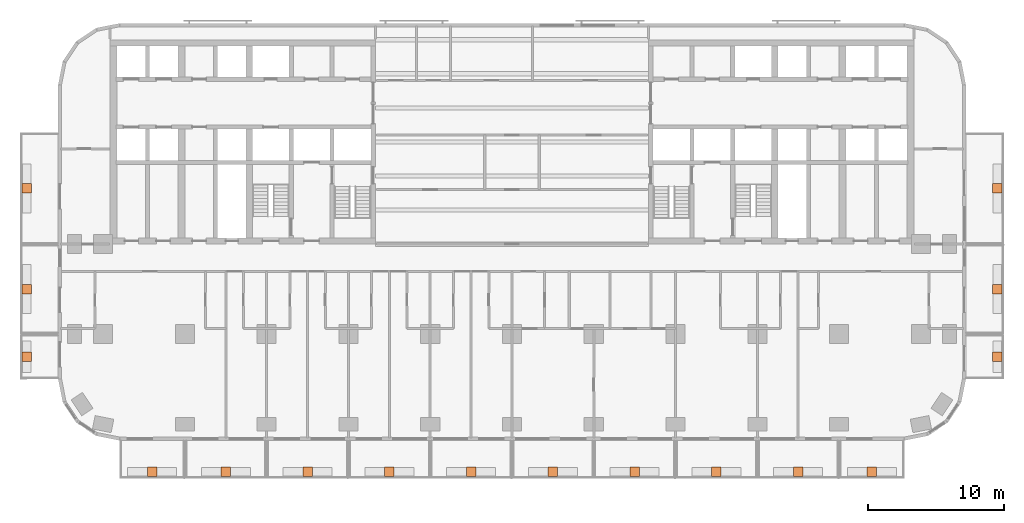
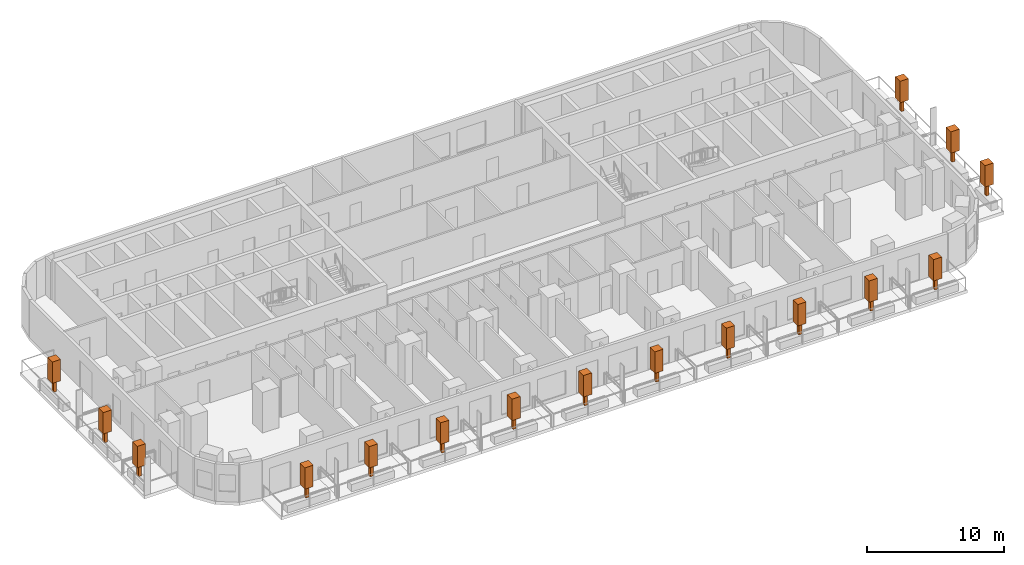
# One storey, part 13 of 13: 16 geographic elements.
"""IFC4 building model written with IfcOpenShell, lengths in metres."""

from ifc_helpers import new_model, si_unit, direction, frame, origin, origin_2d, place, context, subcontext, project, spatial, rectangle, extrude, material, element, save


model = new_model("IFC4")

# Units and contexts
model_context = context("Model", 3, precision=1e-05, world=origin(), true_north=direction((0.0, 1.0)))
body_context = subcontext(model_context, "Body", "Model", "MODEL_VIEW")
ifc_project = project(units=[si_unit("LENGTHUNIT", "METRE"), si_unit("AREAUNIT", "SQUARE_METRE"), si_unit("VOLUMEUNIT", "CUBIC_METRE"), si_unit("PLANEANGLEUNIT", "RADIAN"), si_unit("MASSUNIT", "GRAM", prefix="KILO")], contexts=[model_context])

# Site, building, storey
site_placement = place(None, origin())
site = spatial("IfcSite", under=ifc_project, at=site_placement, CompositionType="ELEMENT")
building_placement = place(site_placement, origin())
building = spatial("IfcBuilding", under=site, at=building_placement, Name="Torana Hotel and Residences", CompositionType="ELEMENT")
storey_placement = place(building_placement, frame((0.0, 0.0, 56.39990234375)))
storey = spatial("IfcBuildingStorey", under=building, at=storey_placement, Name="L13", CompositionType="ELEMENT", Elevation=56.39990234375)

# Geographic elements
ifc_material = material(Name="Foliage", Category="planting")
for number, where, z_axis, x_axis, name in (
    (1, (-26.39990234375, -31.699951171875, 0.650146484375), (0.0, 0.0, 1.0), (1.0, 0.0, 0.0), "Tree 01"),
    (2, (-21.0, -31.699951171875, 0.650146484375), (0.0, 0.0, 1.0), (1.0, 0.0, 0.0), "Tree 02"),
    (3, (-15.0, -31.699951171875, 0.650146484375), (0.0, 0.0, 1.0), (1.0, 0.0, 0.0), "Tree 03"),
    (4, (-9.0, -31.699951171875, 0.650146484375), (0.0, 0.0, 1.0), (1.0, 0.0, 0.0), "Tree 04"),
    (5, (-3.0, -31.699951171875, 0.650146484375), (0.0, 0.0, 1.0), (1.0, 0.0, 0.0), "Tree 05"),
    (6, (3.0, -31.699951171875, 0.650146484375), (0.0, 0.0, 1.0), (1.0, 0.0, 0.0), "Tree 06"),
    (7, (9.0, -31.699951171875, 0.650146484375), (0.0, 0.0, 1.0), (1.0, 0.0, 0.0), "Tree 07"),
    (8, (15.0, -31.699951171875, 0.650146484375), (0.0, 0.0, 1.0), (1.0, 0.0, 0.0), "Tree 08"),
    (9, (21.0, -31.699951171875, 0.650146484375), (0.0, 0.0, 1.0), (1.0, 0.0, 0.0), "Tree 09"),
    (10, (26.39990234375, -31.699951171875, 0.650146484375), (0.0, 0.0, 1.0), (1.0, 0.0, 0.0), "Tree 10"),
    (11, (-35.60009765625, -23.25, 0.650146484375), (0.0, 0.0, 1.0), (1.0, 0.0, 0.0), "Tree 11"),
    (12, (-35.60009765625, -18.300048828125, 0.650146484375), (0.0, 0.0, 1.0), (1.0, 0.0, 0.0), "Tree 12"),
    (13, (-35.60009765625, -10.89990234375, 0.650146484375), (0.0, 0.0, 1.0), (1.0, 0.0, 0.0), "Tree 13"),
    (14, (35.60009765625, -23.25, 0.650146484375), (0.0, 0.0, 1.0), (1.0, 0.0, 0.0), "Tree 14"),
    (15, (35.60009765625, -18.300048828125, 0.650146484375), (0.0, 0.0, 1.0), (1.0, 0.0, 0.0), "Tree 15"),
    (16, (35.60009765625, -10.89990234375, 0.650146484375), (0.0, 0.0, 1.0), (1.0, 0.0, 0.0), "Tree 16"),
):
    element("IfcGeographicElement", number, at=place(storey_placement, frame(where, z_axis=z_axis, x_axis=x_axis)), inside=storey, material=ifc_material, Name=name, ObjectType="TREE", PredefinedType="USERDEFINED", context=body_context, shape_type="SweptSolid", body=[
        extrude(rectangle(XDim=0.25, YDim=0.25, at=origin_2d()), origin(), (0.0, 0.0, 1.0), 1.0),
        extrude(rectangle(XDim=0.699951171875, YDim=0.699951171875, at=origin_2d()), frame((0.0, 0.0, 1.0)), (0.0, 0.0, 1.0), 1.89990234375),
    ])

save(model, "model.ifc")
